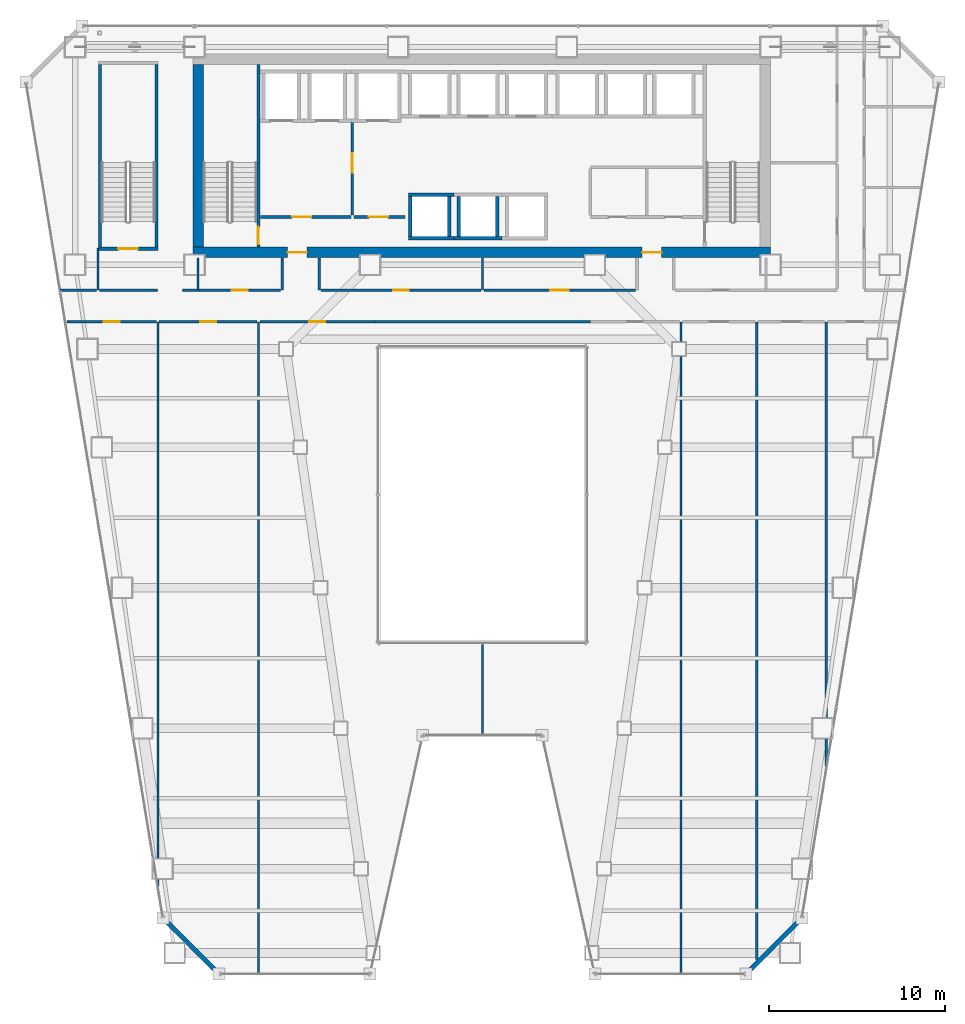
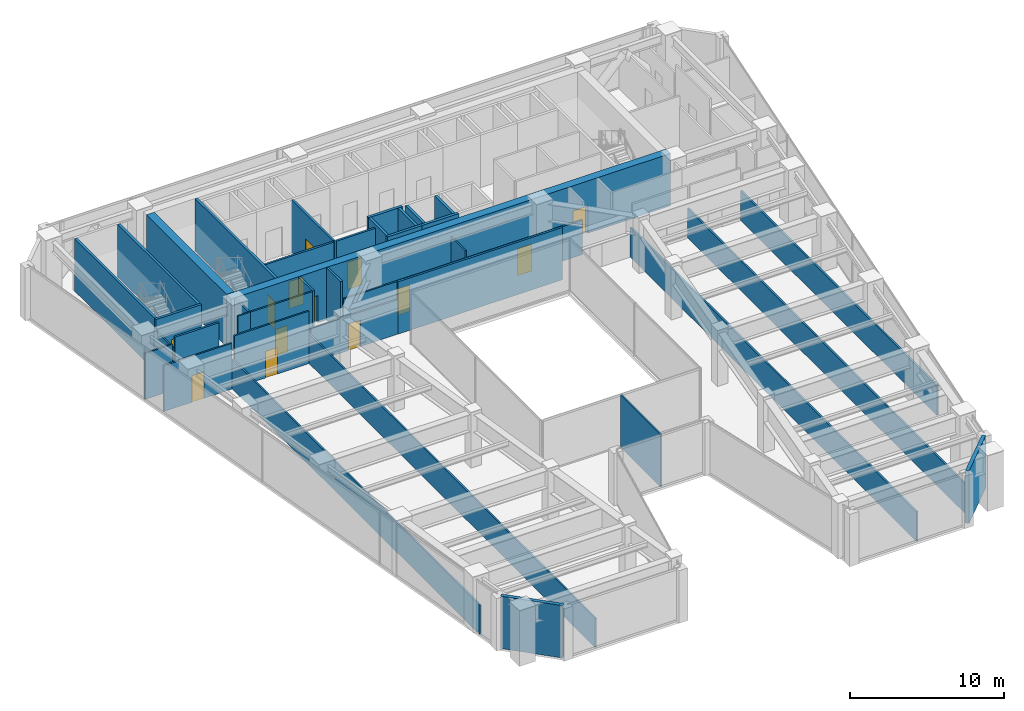
# One storey, part 35 of 40: 39 walls, 13 doors, 13 openings.
"""IFC4 building model written with IfcOpenShell, lengths in metres."""

from ifc_helpers import new_model, si_unit, direction, frame, frame_2d, origin, place, context, subcontext, project, spatial, rectangle, extrude, material, layer, layer_set, type_object, element, fill, save


model = new_model("IFC4")

# Units and contexts
model_context = context("Model", 3, precision=1e-05, world=origin(), true_north=direction((0.0, 1.0)))
body_context = subcontext(model_context, "Body", "Model", "MODEL_VIEW")
ifc_project = project(units=[si_unit("LENGTHUNIT", "METRE"), si_unit("AREAUNIT", "SQUARE_METRE"), si_unit("VOLUMEUNIT", "CUBIC_METRE"), si_unit("PLANEANGLEUNIT", "RADIAN"), si_unit("MASSUNIT", "GRAM", prefix="KILO")], contexts=[model_context])

# Site, building, storey
site_placement = place(None, origin())
site = spatial("IfcSite", under=ifc_project, at=site_placement, CompositionType="ELEMENT")
building_placement = place(site_placement, origin())
building = spatial("IfcBuilding", under=site, at=building_placement, Name="Saevonmaru Cultural Tower", CompositionType="ELEMENT")
storey_placement = place(building_placement, frame((0.0, 0.0, 97.199951171875)))
storey = spatial("IfcBuildingStorey", under=building, at=storey_placement, Name="L20", CompositionType="ELEMENT", Elevation=97.199951171875)

# Wall, openings, doors
ifc_material_1 = material(Name="Concrete C60/75", Category="concrete")
ifc_layer_1 = layer(ifc_material_1, 0.60009765625, Name="Concrete C60/75")
ifc_layer_set_1 = layer_set([ifc_layer_1], Name="Concrete C60/75")
wall_type_1 = type_object("IfcWallType", Name="WL-CORE-600", PredefinedType="SHEAR", material=ifc_layer_set_1)
wall_1_placement = place(storey_placement, frame((13.5, 43.10009765625, 0.0), z_axis=(0.0, 0.0, 1.0), x_axis=(1.0, 0.0, 0.0)))
wall_1 = element("IfcWall", 1, at=wall_1_placement, inside=storey, type_object=wall_type_1, Name="L20 Tower RC core shear wall S", PredefinedType="SHEAR", context=body_context, shape_type="SweptSolid", body=[
    extrude(rectangle(XDim=32.89990234375, YDim=0.60009765625, at=frame_2d((16.449951171875, 0.0))), origin(), (0.0, 0.0, 1.0), 4.150146484375),
])
opening_1_placement = place(wall_1_placement, frame((5.39990234375, 0.0, 0.0)))
opening_1 = element("IfcOpeningElement", 2, at=opening_1_placement, cuts=wall_1, Name="Opening FD-2", PredefinedType="OPENING", context=body_context, shape_type="SweptSolid", body=[
    extrude(rectangle(XDim=1.10009765625, YDim=2.14990234375, at=frame_2d((0.550048828125, 1.074951171875))), frame((0.0, 0.31005859375, 0.0), z_axis=(0.0, -1.0, 0.0), x_axis=(1.0, 0.0, 0.0)), (0.0, 0.0, 1.0), 0.6201171875),
])
opening_2_placement = place(wall_1_placement, frame((25.60009765625, 0.0, 0.0)))
opening_2 = element("IfcOpeningElement", 3, at=opening_2_placement, cuts=wall_1, Name="Opening FD-2", PredefinedType="OPENING", context=body_context, shape_type="SweptSolid", body=[
    extrude(rectangle(XDim=1.10009765625, YDim=2.14990234375, at=frame_2d((0.550048828125, 1.074951171875))), frame((0.0, 0.31005859375, 0.0), z_axis=(0.0, -1.0, 0.0), x_axis=(1.0, 0.0, 0.0)), (0.0, 0.0, 1.0), 0.6201171875),
])
ifc_material_2 = material(Name="Satin Bronze Anodised Aluminium", Category="aluminium")
door_type_1 = type_object("IfcDoorType", Name="DR-FD60-1100", OperationType="SINGLE_SWING_LEFT", PredefinedType="DOOR", material=ifc_material_2)
door_1_placement = place(opening_1_placement, origin())
door_1 = element("IfcDoor", 4, at=door_1_placement, inside=storey, type_object=door_type_1, Name="L20 Core West Lobby Fire Door", OperationType="SINGLE_SWING_LEFT", OverallHeight=2.14990234375, OverallWidth=1.10009765625, PredefinedType="DOOR", context=body_context, shape_type="SweptSolid", body=[
    extrude(rectangle(XDim=1.10009765625, YDim=2.14990234375, at=frame_2d((0.550048828125, 1.074951171875))), frame((0.0, 0.02490234375, 0.0), z_axis=(0.0, -1.0, 0.0), x_axis=(1.0, 0.0, 0.0)), (0.0, 0.0, 1.0), 0.050048828125),
])
fill(opening_1, door_1)
door_2_placement = place(opening_2_placement, origin())
door_2 = element("IfcDoor", 5, at=door_2_placement, inside=storey, type_object=door_type_1, Name="L20 Core East Lobby Fire Door", OperationType="SINGLE_SWING_LEFT", OverallHeight=2.14990234375, OverallWidth=1.10009765625, PredefinedType="DOOR", context=body_context, shape_type="SweptSolid", body=[
    extrude(rectangle(XDim=1.10009765625, YDim=2.14990234375, at=frame_2d((0.550048828125, 1.074951171875))), frame((0.0, 0.02490234375, 0.0), z_axis=(0.0, -1.0, 0.0), x_axis=(1.0, 0.0, 0.0)), (0.0, 0.0, 1.0), 0.050048828125),
])
fill(opening_2, door_2)

# Wall
wall_2_placement = place(storey_placement, frame((13.800048828125, 43.39990234375, 0.0), z_axis=(0.0, 0.0, 1.0), x_axis=(0.0, 1.0, 0.0)))
element("IfcWall", 6, at=wall_2_placement, inside=storey, type_object=wall_type_1, Name="L20 Tower RC core shear wall W", PredefinedType="SHEAR", context=body_context, shape_type="SweptSolid", body=[
    extrude(rectangle(XDim=10.400146484375, YDim=0.60009765625, at=frame_2d((5.2001953125, 0.0))), origin(), (0.0, 0.0, 1.0), 4.150146484375),
])

# Wall, opening, door
ifc_material_3 = material(Name="Gypsum Fireboard Partition", Category="gypsum")
ifc_layer_2 = layer(ifc_material_3, 0.14990234375, Name="Gypsum Fireboard Partition")
ifc_layer_set_2 = layer_set([ifc_layer_2], Name="Gypsum Fireboard Partition")
wall_type_2 = type_object("IfcWallType", Name="WL-CORE-PART-150", PredefinedType="PARTITIONING", material=ifc_layer_set_2)
wall_3_placement = place(storey_placement, frame((17.360107421875, 45.1201171875, 0.0), z_axis=(0.0, 0.0, 1.0), x_axis=(1.0, 0.0, 0.0)))
wall_3 = element("IfcWall", 7, at=wall_3_placement, inside=storey, type_object=wall_type_2, Name="L20 Firefighting Lift Lobby South Wall", PredefinedType="PARTITIONING", context=body_context, shape_type="SweptSolid", body=[
    extrude(rectangle(XDim=5.139892578125, YDim=0.14990234375, at=frame_2d((2.56982421875, 0.0))), origin(), (0.0, 0.0, 1.0), 4.150146484375),
])
opening_3_placement = place(wall_3_placement, frame((1.800048828125, 0.0, 0.0)))
opening_3 = element("IfcOpeningElement", 8, at=opening_3_placement, cuts=wall_3, Name="Opening FD-2", PredefinedType="OPENING", context=body_context, shape_type="SweptSolid", body=[
    extrude(rectangle(XDim=1.10009765625, YDim=2.14990234375, at=frame_2d((0.550048828125, 1.074951171875))), frame((0.0, 0.0849609375, 0.0), z_axis=(0.0, -1.0, 0.0), x_axis=(1.0, 0.0, 0.0)), (0.0, 0.0, 1.0), 0.169921875),
])
door_3_placement = place(opening_3_placement, origin())
door_3 = element("IfcDoor", 9, at=door_3_placement, inside=storey, type_object=door_type_1, Name="L20 Firefighting Lift Lobby South Door", OperationType="SINGLE_SWING_LEFT", OverallHeight=2.14990234375, OverallWidth=1.10009765625, PredefinedType="DOOR", context=body_context, shape_type="SweptSolid", body=[
    extrude(rectangle(XDim=1.10009765625, YDim=2.14990234375, at=frame_2d((0.550048828125, 1.074951171875))), frame((0.0, 0.02490234375, 0.0), z_axis=(0.0, -1.0, 0.0), x_axis=(1.0, 0.0, 0.0)), (0.0, 0.0, 1.0), 0.050048828125),
])
fill(opening_3, door_3)

wall_4_placement = place(storey_placement, frame((22.580078125, 50.550048828125, 0.0), z_axis=(0.0, 0.0, 1.0), x_axis=(0.0, -1.0, 0.0)))
wall_4 = element("IfcWall", 10, at=wall_4_placement, inside=storey, type_object=wall_type_2, Name="L20 Firefighting Lift Lobby East Wall", PredefinedType="PARTITIONING", context=body_context, shape_type="SweptSolid", body=[
    extrude(rectangle(XDim=5.330078125, YDim=0.14990234375, at=frame_2d((2.6650390625, 0.0))), origin(), (0.0, 0.0, 1.0), 4.150146484375),
])
opening_4_placement = place(wall_4_placement, frame((1.800048828125, 0.0, 0.0)))
opening_4 = element("IfcOpeningElement", 11, at=opening_4_placement, cuts=wall_4, Name="Opening FD-2", PredefinedType="OPENING", context=body_context, shape_type="SweptSolid", body=[
    extrude(rectangle(XDim=1.10009765625, YDim=2.14990234375, at=frame_2d((0.550048828125, 1.074951171875))), frame((0.0, 0.0849609375, 0.0), z_axis=(0.0, -1.0, 0.0), x_axis=(1.0, 0.0, 0.0)), (0.0, 0.0, 1.0), 0.169921875),
])
door_4_placement = place(opening_4_placement, origin())
door_4 = element("IfcDoor", 12, at=door_4_placement, inside=storey, type_object=door_type_1, Name="L20 Firefighting Lift Lobby East Door", OperationType="SINGLE_SWING_LEFT", OverallHeight=2.14990234375, OverallWidth=1.10009765625, PredefinedType="DOOR", context=body_context, shape_type="SweptSolid", body=[
    extrude(rectangle(XDim=1.10009765625, YDim=2.14990234375, at=frame_2d((0.550048828125, 1.074951171875))), frame((0.0, 0.02490234375, 0.0), z_axis=(0.0, -1.0, 0.0), x_axis=(1.0, 0.0, 0.0)), (0.0, 0.0, 1.0), 0.050048828125),
])
fill(opening_4, door_4)

wall_5_placement = place(storey_placement, frame((22.679931640625, 45.1201171875, 0.0), z_axis=(0.0, 0.0, 1.0), x_axis=(1.0, 0.0, 0.0)))
wall_5 = element("IfcWall", 13, at=wall_5_placement, inside=storey, type_object=wall_type_2, Name="L20 Service Lift Vestibule Wall", PredefinedType="PARTITIONING", context=body_context, shape_type="SweptSolid", body=[
    extrude(rectangle(XDim=2.920166015625, YDim=0.14990234375, at=frame_2d((1.4599609375, 0.0))), origin(), (0.0, 0.0, 1.0), 4.150146484375),
])
opening_5_placement = place(wall_5_placement, frame((0.85009765625, 0.0, 0.0)))
opening_5 = element("IfcOpeningElement", 14, at=opening_5_placement, cuts=wall_5, Name="Opening FD-2", PredefinedType="OPENING", context=body_context, shape_type="SweptSolid", body=[
    extrude(rectangle(XDim=1.10009765625, YDim=2.14990234375, at=frame_2d((0.550048828125, 1.074951171875))), frame((0.0, 0.0849609375, 0.0), z_axis=(0.0, -1.0, 0.0), x_axis=(1.0, 0.0, 0.0)), (0.0, 0.0, 1.0), 0.169921875),
])
door_5_placement = place(opening_5_placement, origin())
door_5 = element("IfcDoor", 15, at=door_5_placement, inside=storey, type_object=door_type_1, Name="L20 Service Lift Vestibule Door", OperationType="SINGLE_SWING_LEFT", OverallHeight=2.14990234375, OverallWidth=1.10009765625, PredefinedType="DOOR", context=body_context, shape_type="SweptSolid", body=[
    extrude(rectangle(XDim=1.10009765625, YDim=2.14990234375, at=frame_2d((0.550048828125, 1.074951171875))), frame((0.0, 0.02490234375, 0.0), z_axis=(0.0, -1.0, 0.0), x_axis=(1.0, 0.0, 0.0)), (0.0, 0.0, 1.0), 0.050048828125),
])
fill(opening_5, door_5)

# Walls
ifc_material_4 = material(Name="Granite-Clad Precast Concrete C40/50", Category="masonry")
ifc_layer_3 = layer(ifc_material_4, 0.260009765625, Name="Granite-Clad Precast Concrete C40/50")
ifc_layer_set_3 = layer_set([ifc_layer_3], Name="Granite-Clad Precast Concrete C40/50")
wall_type_3 = type_object("IfcWallType", Name="WL-EXT-SPANDREL-260", PredefinedType="STANDARD", material=ifc_layer_set_3)
for number, where, z_axis, x_axis, name in (
    (16, (11.9130859375, 5.0869140625, 0.0), (0.0, 0.0, 1.0), (0.707106781187, -0.707106781187, 0.0), "L20 Chamfer Corner Spandrel Wall E1"),
    (17, (45.113037109375, 2.113037109375, 0.0), (0.0, 0.0, 1.0), (0.707106781187, 0.707106781187, 0.0), "L20 Chamfer Corner Spandrel Wall E7"),
):
    element("IfcWall", number, at=place(storey_placement, frame(where, z_axis=z_axis, x_axis=x_axis)), inside=storey, type_object=wall_type_3, Name=name, PredefinedType="STANDARD", context=body_context, shape_type="SweptSolid", body=[
        extrude(rectangle(XDim=4.205810546875, YDim=0.260009765625, at=frame_2d((2.10302734375, 0.0))), origin(), (0.0, 0.0, 1.0), 4.150146484375),
    ])
ifc_layer_4 = layer(ifc_material_3, 0.14990234375, Name="Gypsum Fireboard Partition")
ifc_layer_set_4 = layer_set([ifc_layer_4], Name="Gypsum Fireboard Partition")
wall_type_4 = type_object("IfcWallType", Name="WL-PART-FIRE-150", PredefinedType="PARTITIONING", material=ifc_layer_set_4)
wall_6_placement = place(storey_placement, frame((8.179931640625, 40.949951171875, 0.0), z_axis=(0.0, 0.0, 1.0), x_axis=(1.0, 0.0, 0.0)))
element("IfcWall", 18, at=wall_6_placement, inside=storey, type_object=wall_type_4, Name="L20 Stair ST-3 South Vestibule Wall", PredefinedType="PARTITIONING", context=body_context, shape_type="SweptSolid", body=[
    extrude(rectangle(XDim=3.300048828125, YDim=0.14990234375, at=frame_2d((1.64990234375, 0.0))), origin(), (0.0, 0.0, 1.0), 4.150146484375),
])
for number, where, z_axis, x_axis, name in (
    (19, (18.60009765625, 40.949951171875, 0.0), (0.0, 0.0, 1.0), (0.0, 1.0, 0.0), "L20 Core Portal Side Wall W1"),
    (20, (20.699951171875, 40.949951171875, 0.0), (0.0, 0.0, 1.0), (0.0, 1.0, 0.0), "L20 Core Portal Side Wall W2"),
):
    element("IfcWall", number, at=place(storey_placement, frame(where, z_axis=z_axis, x_axis=x_axis)), inside=storey, type_object=wall_type_4, Name=name, PredefinedType="PARTITIONING", context=body_context, shape_type="SweptSolid", body=[
        extrude(rectangle(XDim=1.830078125, YDim=0.14990234375, at=frame_2d((0.9150390625, 0.0))), origin(), (0.0, 0.0, 1.0), 4.150146484375),
    ])
wall_7_placement = place(storey_placement, frame((23.85009765625, 39.14990234375, 0.0), z_axis=(0.0, 0.0, 1.0), x_axis=(1.0, 0.0, 0.0)))
element("IfcWall", 21, at=wall_7_placement, inside=storey, type_object=wall_type_4, Name="L20 North Atrium Corridor Wall", PredefinedType="PARTITIONING", context=body_context, shape_type="SweptSolid", body=[
    extrude(rectangle(XDim=12.2998046875, YDim=0.14990234375, at=frame_2d((6.14990234375, 0.0))), origin(), (0.0, 0.0, 1.0), 4.150146484375),
])
ifc_layer_5 = layer(ifc_material_3, 0.1201171875, Name="Gypsum Fireboard Partition")
ifc_layer_set_5 = layer_set([ifc_layer_5], Name="Gypsum Fireboard Partition")
wall_type_5 = type_object("IfcWallType", Name="WL-PART-GYP-120", PredefinedType="PARTITIONING", material=ifc_layer_set_5)
wall_8_placement = place(storey_placement, frame((12.919921875, 40.949951171875, 0.0), z_axis=(0.0, 0.0, 1.0), x_axis=(1.0, 0.0, 0.0)))
element("IfcWall", 22, at=wall_8_placement, inside=storey, type_object=wall_type_5, Name="L20 NW Inner South Wall", PredefinedType="PARTITIONING", context=body_context, shape_type="SweptSolid", body=[
    extrude(rectangle(XDim=0.93017578125, YDim=0.1201171875, at=frame_2d((0.465087890625, 0.0))), origin(), (0.0, 0.0, 1.0), 4.150146484375),
])
wall_9_placement = place(storey_placement, frame((13.800048828125, 41.030029296875, 0.0), z_axis=(0.0, 0.0, 1.0), x_axis=(0.0, 1.0, 0.0)))
element("IfcWall", 23, at=wall_9_placement, inside=storey, type_object=wall_type_5, Name="L20 NW Inner Core Return", PredefinedType="PARTITIONING", context=body_context, shape_type="SweptSolid", body=[
    extrude(rectangle(XDim=1.75, YDim=0.1201171875, at=frame_2d((0.875, 0.0))), origin(), (0.0, 0.0, 1.0), 4.150146484375),
])
wall_10_placement = place(storey_placement, frame((8.10009765625, 40.949951171875, 0.0), z_axis=(0.0, 0.0, 1.0), x_axis=(0.0, 1.0, 0.0)))
element("IfcWall", 24, at=wall_10_placement, inside=storey, type_object=wall_type_5, Name="L20 NW Stair Return", PredefinedType="PARTITIONING", context=body_context, shape_type="SweptSolid", body=[
    extrude(rectangle(XDim=2.400146484375, YDim=0.1201171875, at=frame_2d((1.2001953125, 0.0))), origin(), (0.0, 0.0, 1.0), 3.3349609375),
])
wall_11_placement = place(storey_placement, frame((5.947021484375, 40.949951171875, 0.0), z_axis=(0.0, 0.0, 1.0), x_axis=(1.0, 0.0, 0.0)))
element("IfcWall", 25, at=wall_11_placement, inside=storey, type_object=wall_type_5, Name="L20 Curatorial Board Meeting Room Corridor Wall", PredefinedType="PARTITIONING", context=body_context, shape_type="SweptSolid", body=[
    extrude(rectangle(XDim=2.072998046875, YDim=0.1201171875, at=frame_2d((1.03662109375, 0.0))), origin(), (0.0, 0.0, 1.0), 3.635009765625),
])

# Wall, opening, door
wall_12_placement = place(storey_placement, frame((13.85009765625, 40.949951171875, 0.0), z_axis=(0.0, 0.0, 1.0), x_axis=(1.0, 0.0, 0.0)))
wall_12 = element("IfcWall", 26, at=wall_12_placement, inside=storey, type_object=wall_type_5, Name="L20 Urban Design Meeting Room Corridor Wall", PredefinedType="PARTITIONING", context=body_context, shape_type="SweptSolid", body=[
    extrude(rectangle(XDim=4.65478515625, YDim=0.1201171875, at=frame_2d((2.327392578125, 0.0))), origin(), (0.0, 0.0, 1.0), 4.150146484375),
])
opening_6_placement = place(wall_12_placement, frame((1.876953125, 0.0, 0.0)))
opening_6 = element("IfcOpeningElement", 27, at=opening_6_placement, cuts=wall_12, Name="Opening ID-2", PredefinedType="OPENING", context=body_context, shape_type="SweptSolid", body=[
    extrude(rectangle(XDim=0.89990234375, YDim=2.10009765625, at=frame_2d((0.449951171875, 1.050048828125))), frame((0.0, 0.070068359375, 0.0), z_axis=(0.0, -1.0, 0.0), x_axis=(1.0, 0.0, 0.0)), (0.0, 0.0, 1.0), 0.14013671875),
])
ifc_material_5 = material(Name="Acoustic Stained Oak Timber", Category="wood")
door_type_2 = type_object("IfcDoorType", Name="DR-INT-900", OperationType="SINGLE_SWING_RIGHT", PredefinedType="DOOR", material=ifc_material_5)
door_6_placement = place(opening_6_placement, origin())
door_6 = element("IfcDoor", 28, at=door_6_placement, inside=storey, type_object=door_type_2, Name="L20 Urban Design Meeting Room Door", OperationType="SINGLE_SWING_LEFT", OverallHeight=2.10009765625, OverallWidth=0.89990234375, PredefinedType="DOOR", context=body_context, shape_type="SweptSolid", body=[
    extrude(rectangle(XDim=0.89990234375, YDim=2.10009765625, at=frame_2d((0.449951171875, 1.050048828125))), frame((0.0, 0.02490234375, 0.0), z_axis=(0.0, -1.0, 0.0), x_axis=(1.0, 0.0, 0.0)), (0.0, 0.0, 1.0), 0.050048828125),
])
fill(opening_6, door_6)

# Wall
wall_13_placement = place(storey_placement, frame((30.0, 40.949951171875, 0.0), z_axis=(0.0, 0.0, 1.0), x_axis=(0.0, 1.0, 0.0)))
element("IfcWall", 29, at=wall_13_placement, inside=storey, type_object=wall_type_5, Name="L20 Spine Alcove Split", PredefinedType="PARTITIONING", context=body_context, shape_type="SweptSolid", body=[
    extrude(rectangle(XDim=1.830078125, YDim=0.1201171875, at=frame_2d((0.9150390625, 0.0))), origin(), (0.0, 0.0, 1.0), 3.3349609375),
])

# Wall, opening, door
wall_14_placement = place(storey_placement, frame((20.794921875, 40.949951171875, 0.0), z_axis=(0.0, 0.0, 1.0), x_axis=(1.0, 0.0, 0.0)))
wall_14 = element("IfcWall", 30, at=wall_14_placement, inside=storey, type_object=wall_type_5, Name="L20 Urban Design Meeting Room Corridor Wall", PredefinedType="PARTITIONING", context=body_context, shape_type="SweptSolid", body=[
    extrude(rectangle(XDim=9.125, YDim=0.1201171875, at=frame_2d((4.5625, 0.0))), origin(), (0.0, 0.0, 1.0), 2.735107421875),
])
opening_7_placement = place(wall_14_placement, frame((4.112060546875, 0.0, 0.0)))
opening_7 = element("IfcOpeningElement", 31, at=opening_7_placement, cuts=wall_14, Name="Opening ID-2", PredefinedType="OPENING", context=body_context, shape_type="SweptSolid", body=[
    extrude(rectangle(XDim=0.89990234375, YDim=2.10009765625, at=frame_2d((0.449951171875, 1.050048828125))), frame((0.0, 0.070068359375, 0.0), z_axis=(0.0, -1.0, 0.0), x_axis=(1.0, 0.0, 0.0)), (0.0, 0.0, 1.0), 0.14013671875),
])
door_7_placement = place(opening_7_placement, origin())
door_7 = element("IfcDoor", 32, at=door_7_placement, inside=storey, type_object=door_type_2, Name="L20 Urban Design Meeting Room Door", OperationType="SINGLE_SWING_RIGHT", OverallHeight=2.10009765625, OverallWidth=0.89990234375, PredefinedType="DOOR", context=body_context, shape_type="SweptSolid", body=[
    extrude(rectangle(XDim=0.89990234375, YDim=2.10009765625, at=frame_2d((0.449951171875, 1.050048828125))), frame((0.0, 0.02490234375, 0.0), z_axis=(0.0, -1.0, 0.0), x_axis=(1.0, 0.0, 0.0)), (0.0, 0.0, 1.0), 0.050048828125),
])
fill(opening_7, door_7)

wall_15_placement = place(storey_placement, frame((30.080078125, 40.949951171875, 0.0), z_axis=(0.0, 0.0, 1.0), x_axis=(1.0, 0.0, 0.0)))
wall_15 = element("IfcWall", 33, at=wall_15_placement, inside=storey, type_object=wall_type_5, Name="L20 Rare Folio Reading Room Corridor Wall", PredefinedType="PARTITIONING", context=body_context, shape_type="SweptSolid", body=[
    extrude(rectangle(XDim=8.625, YDim=0.1201171875, at=frame_2d((4.3125, 0.0))), origin(), (0.0, 0.0, 1.0), 2.735107421875),
])
opening_8_placement = place(wall_15_placement, frame((3.7880859375, 0.0, 0.0)))
opening_8 = element("IfcOpeningElement", 34, at=opening_8_placement, cuts=wall_15, Name="Opening ID-1", PredefinedType="OPENING", context=body_context, shape_type="SweptSolid", body=[
    extrude(rectangle(XDim=1.050048828125, YDim=2.14990234375, at=frame_2d((0.52490234375, 1.074951171875))), frame((0.0, 0.070068359375, 0.0), z_axis=(0.0, -1.0, 0.0), x_axis=(1.0, 0.0, 0.0)), (0.0, 0.0, 1.0), 0.14013671875),
])
door_type_3 = type_object("IfcDoorType", Name="DR-INT-1050", OperationType="SINGLE_SWING_LEFT", PredefinedType="DOOR", material=ifc_material_2)
door_8_placement = place(opening_8_placement, origin())
door_8 = element("IfcDoor", 35, at=door_8_placement, inside=storey, type_object=door_type_3, Name="L20 Rare Folio Reading Room Door", OperationType="SINGLE_SWING_LEFT", OverallHeight=2.14990234375, OverallWidth=1.050048828125, PredefinedType="DOOR", context=body_context, shape_type="SweptSolid", body=[
    extrude(rectangle(XDim=1.050048828125, YDim=2.14990234375, at=frame_2d((0.52490234375, 1.074951171875))), frame((0.0, 0.02490234375, 0.0), z_axis=(0.0, -1.0, 0.0), x_axis=(1.0, 0.0, 0.0)), (0.0, 0.0, 1.0), 0.050048828125),
])
fill(opening_8, door_8)

# Walls
wall_16_placement = place(storey_placement, frame((11.510009765625, 7.000732421875, 0.0), z_axis=(0.0, 0.0, 1.0), x_axis=(0.0, 1.0, 0.0)))
element("IfcWall", 36, at=wall_16_placement, inside=storey, type_object=wall_type_5, Name="L20 West Bay Divider 1", PredefinedType="PARTITIONING", context=body_context, shape_type="SweptSolid", body=[
    extrude(rectangle(XDim=32.149169921875, YDim=0.1201171875, at=frame_2d((16.07470703125, 0.0))), origin(), (0.0, 0.0, 1.0), 2.3349609375),
])
wall_17_placement = place(storey_placement, frame((17.25, 2.0048828125, 0.0), z_axis=(0.0, 0.0, 1.0), x_axis=(0.0, 1.0, 0.0)))
element("IfcWall", 37, at=wall_17_placement, inside=storey, type_object=wall_type_5, Name="L20 West Bay Divider 2", PredefinedType="PARTITIONING", context=body_context, shape_type="SweptSolid", body=[
    extrude(rectangle(XDim=37.14501953125, YDim=0.1201171875, at=frame_2d((18.572509765625, 0.0))), origin(), (0.0, 0.0, 1.0), 2.3349609375),
])
wall_18_placement = place(storey_placement, frame((30.0, 15.60498046875, 0.0), z_axis=(0.0, 0.0, 1.0), x_axis=(0.0, 1.0, 0.0)))
element("IfcWall", 38, at=wall_18_placement, inside=storey, type_object=wall_type_5, Name="L20 South Atrium Center Split", PredefinedType="PARTITIONING", context=body_context, shape_type="SweptSolid", body=[
    extrude(rectangle(XDim=5.175048828125, YDim=0.1201171875, at=frame_2d((2.58740234375, 0.0))), origin(), (0.0, 0.0, 1.0), 4.150146484375),
])

# Wall, opening, door
wall_19_placement = place(storey_placement, frame((6.333984375, 39.14990234375, 0.0), z_axis=(0.0, 0.0, 1.0), x_axis=(1.0, 0.0, 0.0)))
wall_19 = element("IfcWall", 39, at=wall_19_placement, inside=storey, type_object=wall_type_5, Name="L20 Urban Design Meeting Room Corridor Wall", PredefinedType="PARTITIONING", context=body_context, shape_type="SweptSolid", body=[
    extrude(rectangle(XDim=5.095947265625, YDim=0.1201171875, at=frame_2d((2.5478515625, 0.0))), origin(), (0.0, 0.0, 1.0), 3.635009765625),
])
opening_9_placement = place(wall_19_placement, frame((2.097900390625, 0.0, 0.0)))
opening_9 = element("IfcOpeningElement", 40, at=opening_9_placement, cuts=wall_19, Name="Opening ID-2", PredefinedType="OPENING", context=body_context, shape_type="SweptSolid", body=[
    extrude(rectangle(XDim=0.89990234375, YDim=2.10009765625, at=frame_2d((0.449951171875, 1.050048828125))), frame((0.0, 0.070068359375, 0.0), z_axis=(0.0, -1.0, 0.0), x_axis=(1.0, 0.0, 0.0)), (0.0, 0.0, 1.0), 0.14013671875),
])
door_9_placement = place(opening_9_placement, origin())
door_9 = element("IfcDoor", 41, at=door_9_placement, inside=storey, type_object=door_type_2, Name="L20 Urban Design Meeting Room Door", OperationType="SINGLE_SWING_LEFT", OverallHeight=2.10009765625, OverallWidth=0.89990234375, PredefinedType="DOOR", context=body_context, shape_type="SweptSolid", body=[
    extrude(rectangle(XDim=0.89990234375, YDim=2.10009765625, at=frame_2d((0.449951171875, 1.050048828125))), frame((0.0, 0.02490234375, 0.0), z_axis=(0.0, -1.0, 0.0), x_axis=(1.0, 0.0, 0.0)), (0.0, 0.0, 1.0), 0.050048828125),
])
fill(opening_9, door_9)

wall_20_placement = place(storey_placement, frame((11.590087890625, 39.14990234375, 0.0), z_axis=(0.0, 0.0, 1.0), x_axis=(1.0, 0.0, 0.0)))
wall_20 = element("IfcWall", 42, at=wall_20_placement, inside=storey, type_object=wall_type_5, Name="L20 Curatorial Board Meeting Room Corridor Wall", PredefinedType="PARTITIONING", context=body_context, shape_type="SweptSolid", body=[
    extrude(rectangle(XDim=5.579833984375, YDim=0.1201171875, at=frame_2d((2.7900390625, 0.0))), origin(), (0.0, 0.0, 1.0), 4.150146484375),
])
opening_10_placement = place(wall_20_placement, frame((2.340087890625, 0.0, 0.0)))
opening_10 = element("IfcOpeningElement", 43, at=opening_10_placement, cuts=wall_20, Name="Opening ID-2", PredefinedType="OPENING", context=body_context, shape_type="SweptSolid", body=[
    extrude(rectangle(XDim=0.89990234375, YDim=2.10009765625, at=frame_2d((0.449951171875, 1.050048828125))), frame((0.0, 0.070068359375, 0.0), z_axis=(0.0, -1.0, 0.0), x_axis=(1.0, 0.0, 0.0)), (0.0, 0.0, 1.0), 0.14013671875),
])
door_10_placement = place(opening_10_placement, origin())
door_10 = element("IfcDoor", 44, at=door_10_placement, inside=storey, type_object=door_type_2, Name="L20 Curatorial Board Meeting Room Door", OperationType="SINGLE_SWING_RIGHT", OverallHeight=2.10009765625, OverallWidth=0.89990234375, PredefinedType="DOOR", context=body_context, shape_type="SweptSolid", body=[
    extrude(rectangle(XDim=0.89990234375, YDim=2.10009765625, at=frame_2d((0.449951171875, 1.050048828125))), frame((0.0, 0.02490234375, 0.0), z_axis=(0.0, -1.0, 0.0), x_axis=(1.0, 0.0, 0.0)), (0.0, 0.0, 1.0), 0.050048828125),
])
fill(opening_10, door_10)

wall_21_placement = place(storey_placement, frame((17.330078125, 39.14990234375, 0.0), z_axis=(0.0, 0.0, 1.0), x_axis=(1.0, 0.0, 0.0)))
wall_21 = element("IfcWall", 45, at=wall_21_placement, inside=storey, type_object=wall_type_5, Name="L20 Literature Seminar Meeting Room Corridor Wall", PredefinedType="PARTITIONING", context=body_context, shape_type="SweptSolid", body=[
    extrude(rectangle(XDim=6.52001953125, YDim=0.1201171875, at=frame_2d((3.260009765625, 0.0))), origin(), (0.0, 0.0, 1.0), 2.735107421875),
])
opening_11_placement = place(wall_21_placement, frame((2.81005859375, 0.0, 0.0)))
opening_11 = element("IfcOpeningElement", 46, at=opening_11_placement, cuts=wall_21, Name="Opening ID-2", PredefinedType="OPENING", context=body_context, shape_type="SweptSolid", body=[
    extrude(rectangle(XDim=0.89990234375, YDim=2.10009765625, at=frame_2d((0.449951171875, 1.050048828125))), frame((0.0, 0.070068359375, 0.0), z_axis=(0.0, -1.0, 0.0), x_axis=(1.0, 0.0, 0.0)), (0.0, 0.0, 1.0), 0.14013671875),
])
door_11_placement = place(opening_11_placement, origin())
door_11 = element("IfcDoor", 47, at=door_11_placement, inside=storey, type_object=door_type_2, Name="L20 Literature Seminar Meeting Room Door", OperationType="SINGLE_SWING_LEFT", OverallHeight=2.10009765625, OverallWidth=0.89990234375, PredefinedType="DOOR", context=body_context, shape_type="SweptSolid", body=[
    extrude(rectangle(XDim=0.89990234375, YDim=2.10009765625, at=frame_2d((0.449951171875, 1.050048828125))), frame((0.0, 0.02490234375, 0.0), z_axis=(0.0, -1.0, 0.0), x_axis=(1.0, 0.0, 0.0)), (0.0, 0.0, 1.0), 0.050048828125),
])
fill(opening_11, door_11)

# Walls
ifc_layer_6 = layer(ifc_material_3, 0.135009765625, Name="Gypsum Fireboard Partition")
ifc_layer_set_6 = layer_set([ifc_layer_6], Name="Gypsum Fireboard Partition")
wall_type_6 = type_object("IfcWallType", Name="WL-PART-GYP-135", PredefinedType="PARTITIONING", material=ifc_layer_set_6)
wall_22_placement = place(storey_placement, frame((41.31005859375, 2.0048828125, 0.0), z_axis=(0.0, 0.0, 1.0), x_axis=(0.0, 1.0, 0.0)))
element("IfcWall", 48, at=wall_22_placement, inside=storey, type_object=wall_type_6, Name="L20 East Bay Divider 1", PredefinedType="PARTITIONING", context=body_context, shape_type="SweptSolid", body=[
    extrude(rectangle(XDim=37.14501953125, YDim=0.135009765625, at=frame_2d((18.572509765625, 0.0))), origin(), (0.0, 0.0, 1.0), 2.3349609375),
])
wall_23_placement = place(storey_placement, frame((45.6201171875, 2.83203125, 0.0), z_axis=(0.0, 0.0, 1.0), x_axis=(0.0, 1.0, 0.0)))
element("IfcWall", 49, at=wall_23_placement, inside=storey, type_object=wall_type_6, Name="L20 East Bay Divider 2", PredefinedType="PARTITIONING", context=body_context, shape_type="SweptSolid", body=[
    extrude(rectangle(XDim=36.31787109375, YDim=0.135009765625, at=frame_2d((18.158935546875, 0.0))), origin(), (0.0, 0.0, 1.0), 2.3349609375),
])
wall_24_placement = place(storey_placement, frame((49.580078125, 13.652587890625, 0.0), z_axis=(0.0, 0.0, 1.0), x_axis=(0.0, 1.0, 0.0)))
element("IfcWall", 50, at=wall_24_placement, inside=storey, type_object=wall_type_6, Name="L20 East Bay Divider 3", PredefinedType="PARTITIONING", context=body_context, shape_type="SweptSolid", body=[
    extrude(rectangle(XDim=25.497314453125, YDim=0.135009765625, at=frame_2d((12.74853515625, 0.0))), origin(), (0.0, 0.0, 1.0), 2.3349609375),
])
ifc_material_6 = material(Name="Concrete C40/50", Category="concrete")
ifc_layer_7 = layer(ifc_material_6, 0.199951171875, Name="Concrete C40/50")
ifc_layer_set_7 = layer_set([ifc_layer_7], Name="Concrete C40/50")
wall_type_7 = type_object("IfcWallType", Name="WL-SHAFT-200", PredefinedType="SHEAR", material=ifc_layer_set_7)
for number, where, z_axis, x_axis, name in (
    (51, (25.800048828125, 43.89990234375, 0.0), (0.0, 0.0, 1.0), (1.0, 0.0, 0.0), "L20 Lift PL-M1 Hoistway Wall S"),
    (52, (25.800048828125, 46.39990234375, 0.0), (0.0, 0.0, 1.0), (1.0, 0.0, 0.0), "L20 Lift PL-M1 Hoistway Wall N"),
):
    element("IfcWall", number, at=place(storey_placement, frame(where, z_axis=z_axis, x_axis=x_axis)), inside=storey, type_object=wall_type_7, Name=name, PredefinedType="SHEAR", context=body_context, shape_type="SweptSolid", body=[
        extrude(rectangle(XDim=2.574951171875, YDim=0.199951171875, at=frame_2d((1.28759765625, 0.0))), origin(), (0.0, 0.0, 1.0), 4.150146484375),
    ])
for number, where, z_axis, x_axis, name in (
    (53, (25.89990234375, 44.0, 0.0), (0.0, 0.0, 1.0), (0.0, 1.0, 0.0), "L20 Lift PL-M1 Hoistway Wall W"),
    (54, (28.10009765625, 44.0, 0.0), (0.0, 0.0, 1.0), (0.0, 1.0, 0.0), "L20 Lift PL-M1 Hoistway Wall E"),
):
    element("IfcWall", number, at=place(storey_placement, frame(where, z_axis=z_axis, x_axis=x_axis)), inside=storey, type_object=wall_type_7, Name=name, PredefinedType="SHEAR", context=body_context, shape_type="SweptSolid", body=[
        extrude(rectangle(XDim=2.300048828125, YDim=0.199951171875, at=frame_2d((1.14990234375, 0.0))), origin(), (0.0, 0.0, 1.0), 4.150146484375),
    ])
wall_25_placement = place(storey_placement, frame((28.375, 43.89990234375, 0.0), z_axis=(0.0, 0.0, 1.0), x_axis=(1.0, 0.0, 0.0)))
element("IfcWall", 55, at=wall_25_placement, inside=storey, type_object=wall_type_7, Name="L20 Lift PL-M2 Hoistway Wall S", PredefinedType="SHEAR", context=body_context, shape_type="SweptSolid", body=[
    extrude(rectangle(XDim=2.75, YDim=0.199951171875, at=frame_2d((1.375, 0.0))), origin(), (0.0, 0.0, 1.0), 4.150146484375),
])
for number, where, z_axis, x_axis, name in (
    (56, (28.64990234375, 44.0, 0.0), (0.0, 0.0, 1.0), (0.0, 1.0, 0.0), "L20 Lift PL-M2 Hoistway Wall W"),
    (57, (30.85009765625, 44.0, 0.0), (0.0, 0.0, 1.0), (0.0, 1.0, 0.0), "L20 Lift PL-M2 Hoistway Wall E"),
):
    element("IfcWall", number, at=place(storey_placement, frame(where, z_axis=z_axis, x_axis=x_axis)), inside=storey, type_object=wall_type_7, Name=name, PredefinedType="SHEAR", context=body_context, shape_type="SweptSolid", body=[
        extrude(rectangle(XDim=2.300048828125, YDim=0.199951171875, at=frame_2d((1.14990234375, 0.0))), origin(), (0.0, 0.0, 1.0), 4.150146484375),
    ])

# Wall, opening, door
ifc_layer_8 = layer(ifc_material_6, 0.179931640625, Name="Concrete C40/50")
ifc_layer_set_8 = layer_set([ifc_layer_8], Name="Concrete C40/50")
wall_type_8 = type_object("IfcWallType", Name="WL-STSHAFT-180", PredefinedType="SHEAR", material=ifc_layer_set_8)
wall_26_placement = place(storey_placement, frame((17.239990234375, 43.39990234375, 0.0), z_axis=(0.0, 0.0, 1.0), x_axis=(0.0, 1.0, 0.0)))
wall_26 = element("IfcWall", 58, at=wall_26_placement, inside=storey, type_object=wall_type_8, Name="L20 Stair ST-1 Structural Shaft Wall 1", PredefinedType="SHEAR", context=body_context, shape_type="SweptSolid", body=[
    extrude(rectangle(XDim=10.400146484375, YDim=0.179931640625, at=frame_2d((5.2001953125, 0.0))), origin(), (0.0, 0.0, 1.0), 4.150146484375),
])
opening_12_placement = place(wall_26_placement, frame((0.159912109375, 0.0, 0.0)))
opening_12 = element("IfcOpeningElement", 59, at=opening_12_placement, cuts=wall_26, Name="Opening FD-3", PredefinedType="OPENING", context=body_context, shape_type="SweptSolid", body=[
    extrude(rectangle(XDim=1.0, YDim=2.14990234375, at=frame_2d((0.5, 1.074951171875))), frame((0.0, 0.10009765625, 0.0), z_axis=(0.0, -1.0, 0.0), x_axis=(1.0, 0.0, 0.0)), (0.0, 0.0, 1.0), 0.199951171875),
])
door_type_4 = type_object("IfcDoorType", Name="DR-FD60-1000", OperationType="SINGLE_SWING_RIGHT", PredefinedType="DOOR", material=ifc_material_2)
door_12_placement = place(opening_12_placement, origin())
door_12 = element("IfcDoor", 60, at=door_12_placement, inside=storey, type_object=door_type_4, Name="L20 Protected Stair ST-1 Fire Door", OperationType="SINGLE_SWING_RIGHT", OverallHeight=2.14990234375, OverallWidth=1.0, PredefinedType="DOOR", context=body_context, shape_type="SweptSolid", body=[
    extrude(rectangle(XDim=1.0, YDim=2.14990234375, at=frame_2d((0.5, 1.074951171875))), frame((0.0, 0.02490234375, 0.0), z_axis=(0.0, -1.0, 0.0), x_axis=(1.0, 0.0, 0.0)), (0.0, 0.0, 1.0), 0.050048828125),
])
fill(opening_12, door_12)

wall_27_placement = place(storey_placement, frame((8.1201171875, 43.31005859375, 0.0), z_axis=(0.0, 0.0, 1.0), x_axis=(1.0, 0.0, 0.0)))
wall_27 = element("IfcWall", 61, at=wall_27_placement, inside=storey, type_object=wall_type_8, Name="L20 Stair ST-3 Structural Shaft Wall 1", PredefinedType="SHEAR", context=body_context, shape_type="SweptSolid", body=[
    extrude(rectangle(XDim=3.409912109375, YDim=0.179931640625, at=frame_2d((1.705078125, 0.0))), origin(), (0.0, 0.0, 1.0), 4.150146484375),
])
opening_13_placement = place(wall_27_placement, frame((1.14990234375, 0.0, 0.0)))
opening_13 = element("IfcOpeningElement", 62, at=opening_13_placement, cuts=wall_27, Name="Opening FD-2", PredefinedType="OPENING", context=body_context, shape_type="SweptSolid", body=[
    extrude(rectangle(XDim=1.10009765625, YDim=2.14990234375, at=frame_2d((0.550048828125, 1.074951171875))), frame((0.0, 0.10009765625, 0.0), z_axis=(0.0, -1.0, 0.0), x_axis=(1.0, 0.0, 0.0)), (0.0, 0.0, 1.0), 0.199951171875),
])
door_13_placement = place(opening_13_placement, origin())
door_13 = element("IfcDoor", 63, at=door_13_placement, inside=storey, type_object=door_type_1, Name="L20 Protected Stair ST-3 Fire Door", OperationType="SINGLE_SWING_LEFT", OverallHeight=2.14990234375, OverallWidth=1.10009765625, PredefinedType="DOOR", context=body_context, shape_type="SweptSolid", body=[
    extrude(rectangle(XDim=1.10009765625, YDim=2.14990234375, at=frame_2d((0.550048828125, 1.074951171875))), frame((0.0, 0.02490234375, 0.0), z_axis=(0.0, -1.0, 0.0), x_axis=(1.0, 0.0, 0.0)), (0.0, 0.0, 1.0), 0.050048828125),
])
fill(opening_13, door_13)

# Walls
for number, where, z_axis, x_axis, name in (
    (64, (11.43994140625, 43.39990234375, 0.0), (0.0, 0.0, 1.0), (0.0, 1.0, 0.0), "L20 Stair ST-3 Structural Shaft Wall 2"),
    (65, (8.2099609375, 53.800048828125, 0.0), (0.0, 0.0, 1.0), (0.0, -1.0, 0.0), "L20 Stair ST-3 Structural Shaft Wall 4"),
):
    element("IfcWall", number, at=place(storey_placement, frame(where, z_axis=z_axis, x_axis=x_axis)), inside=storey, type_object=wall_type_8, Name=name, PredefinedType="SHEAR", context=body_context, shape_type="SweptSolid", body=[
        extrude(rectangle(XDim=10.400146484375, YDim=0.179931640625, at=frame_2d((5.2001953125, 0.0))), origin(), (0.0, 0.0, 1.0), 4.150146484375),
    ])

save(model, "model.ifc")
